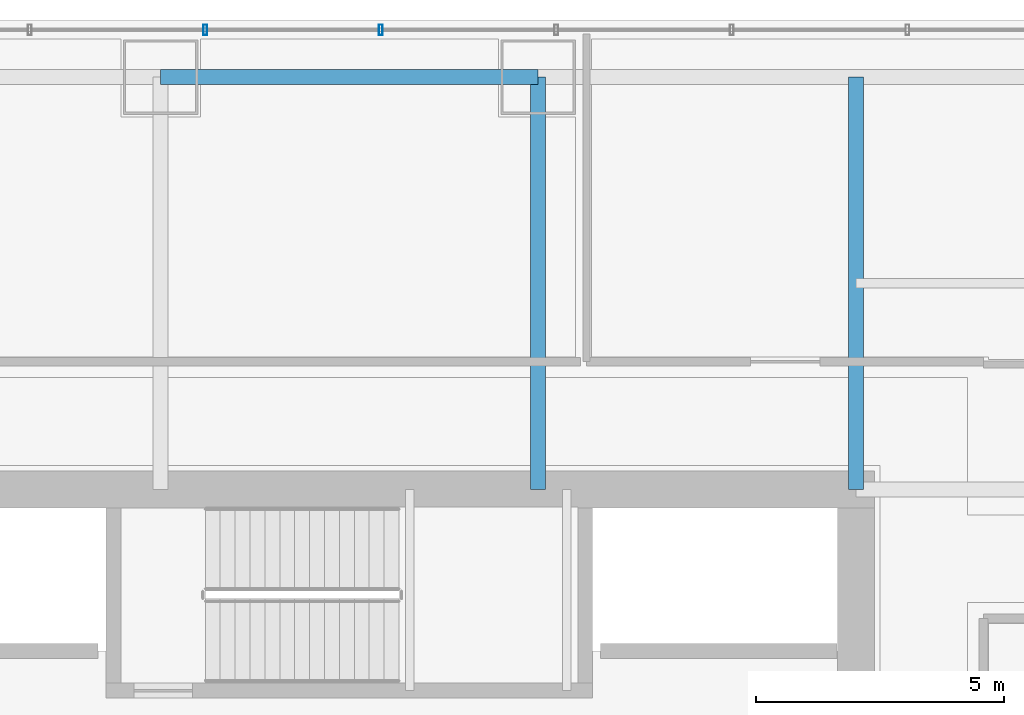
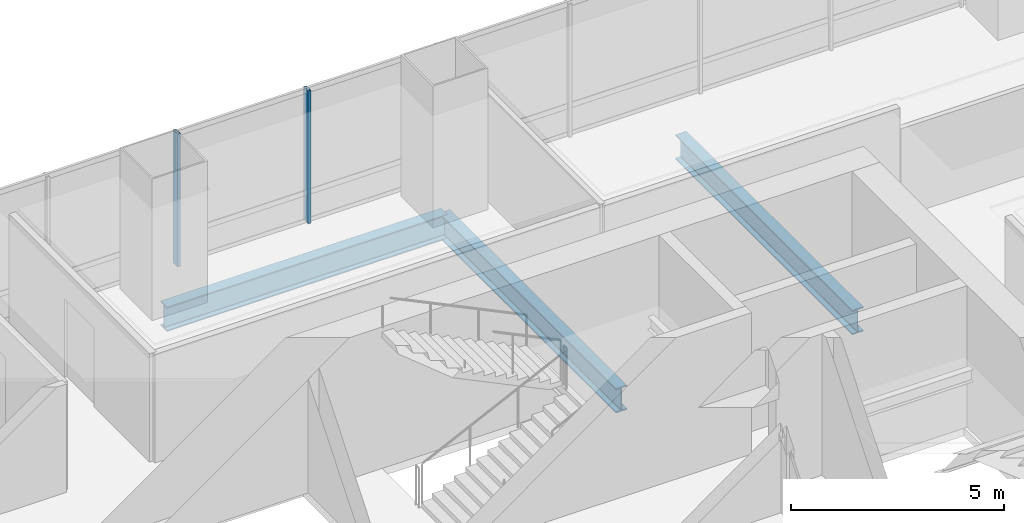
# One storey, part 20 of 35: 3 beams, 2 members, 1 element without a shape of its own.
"""IFC4 building model written with IfcOpenShell, lengths in metres."""

from ifc_helpers import new_model, si_unit, direction, frame, origin, origin_2d, place, context, subcontext, project, spatial, hollow_rectangle, i_section, extrude, material, material_profile, profile_set, type_object, element, aggregate, save


model = new_model("IFC4")

# Units and contexts
model_context = context("Model", 3, precision=1e-05, world=origin(), true_north=direction((0.0, 1.0)))
body_context = subcontext(model_context, "Body", "Model", "MODEL_VIEW")
ifc_project = project(units=[si_unit("LENGTHUNIT", "METRE"), si_unit("AREAUNIT", "SQUARE_METRE"), si_unit("VOLUMEUNIT", "CUBIC_METRE"), si_unit("PLANEANGLEUNIT", "RADIAN"), si_unit("MASSUNIT", "GRAM", prefix="KILO")], contexts=[model_context])

# Site, building, storey
site_placement = place(None, origin())
site = spatial("IfcSite", under=ifc_project, at=site_placement, CompositionType="ELEMENT")
building_placement = place(site_placement, origin())
building = spatial("IfcBuilding", under=site, at=building_placement, Name="Punatoya Terracotta Tower", CompositionType="ELEMENT")
storey_placement = place(building_placement, frame((0.0, 0.0, 68.699951171875)))
storey = spatial("IfcBuildingStorey", under=building, at=storey_placement, Name="L15", CompositionType="ELEMENT", Elevation=68.699951171875)

# Beams
ifc_material_1 = material(Name="Steel S355", Category="steel")
ifc_material_profile_1 = material_profile(ifc_material_1, i_section(OverallWidth=0.300048828125, OverallDepth=0.699951171875, WebThickness=0.01708984375, FlangeThickness=0.031982421875, FilletRadius=0.01806640625, at=origin_2d()))
ifc_profile_set_1 = profile_set([ifc_material_profile_1], Name="Steel S355")
beam_type = type_object("IfcBeamType", Name="BM-PRI-700", PredefinedType="BEAM", material=ifc_profile_set_1)
beam_placement = place(storey_placement, frame((-3.800048828125, 17.5, -0.58984375), z_axis=(1.0, 0.0, 0.0), x_axis=(0.0, 1.0, 0.0)))
element("IfcBeam", 1, at=beam_placement, inside=storey, type_object=beam_type, Name="BM-L15-RG-N2", PredefinedType="BEAM", context=body_context, shape_type="SweptSolid", body=[
    extrude(i_section(OverallWidth=0.300048828125, OverallDepth=0.699951171875, WebThickness=0.01708984375, FlangeThickness=0.031982421875, FilletRadius=0.01806640625, at=origin_2d()), origin(), (0.0, 0.0, 1.0), 7.60009765625),
])
for number, where, z_axis, x_axis, name in (
    (2, (3.800048828125, 9.199951171875, -0.58984375), (0.0, 1.0, 0.0), (-1.0, 0.0, 0.0), "BM-L15-PR-N3"),
    (3, (10.199951171875, 9.199951171875, -0.58984375), (0.0, 1.0, 0.0), (-1.0, 0.0, 0.0), "BM-L15-PR-N4"),
):
    element("IfcBeam", number, at=place(storey_placement, frame(where, z_axis=z_axis, x_axis=x_axis)), inside=storey, type_object=beam_type, Name=name, PredefinedType="BEAM", context=body_context, shape_type="SweptSolid", body=[
        extrude(i_section(OverallWidth=0.300048828125, OverallDepth=0.699951171875, WebThickness=0.01708984375, FlangeThickness=0.031982421875, FilletRadius=0.01806640625, at=origin_2d()), origin(), (0.0, 0.0, 1.0), 8.300048828125),
    ])

# Curtain wall, members
ifc_material_2 = material(Name="Aluminium 6063-T6 + Double Low-E Glass", Category="aluminium")
curtain_wall_type = type_object("IfcCurtainWallType", Name="CW-M1", PredefinedType="NOTDEFINED", material=ifc_material_2)
curtain_wall_placement = place(storey_placement, origin())
curtain_wall = element("IfcCurtainWall", 4, at=curtain_wall_placement, inside=storey, type_object=curtain_wall_type, Name="L15 Curtain Wall CW-L15-N09-1", PredefinedType="NOTDEFINED")
ifc_material_3 = material(Name="Aluminium 6063-T6", Category="aluminium")
ifc_material_profile_2 = material_profile(ifc_material_3, hollow_rectangle(XDim=0.074951171875, YDim=0.2099609375, WallThickness=0.00439453125, at=origin_2d()))
ifc_profile_set_2 = profile_set([ifc_material_profile_2], Name="Aluminium 6063-T6")
member_type = type_object("IfcMemberType", Name="CW-MUL-M1", PredefinedType="MULLION", material=ifc_profile_set_2)
member_1_placement = place(storey_placement, frame((0.633056640625, 18.449951171875, 0.0), z_axis=(0.0, 0.0, 1.0), x_axis=(1.0, 0.0, 0.0)))
member_1 = element("IfcMember", 5, at=member_1_placement, type_object=member_type, Name="CW-L15-N09-1 Mullion 06", PredefinedType="MULLION", context=body_context, shape_type="SweptSolid", body=[
    extrude(hollow_rectangle(XDim=0.074951171875, YDim=0.2099609375, WallThickness=0.00439453125, at=origin_2d()), origin(), (0.0, 0.0, 1.0), 3.81005859375),
])
member_2_placement = place(storey_placement, frame((-2.90087890625, 18.449951171875, 0.0), z_axis=(0.0, 0.0, 1.0), x_axis=(1.0, 0.0, 0.0)))
member_2 = element("IfcMember", 6, at=member_2_placement, type_object=member_type, Name="CW-L15-N09-1 Mullion 07", PredefinedType="MULLION", context=body_context, shape_type="SweptSolid", body=[
    extrude(hollow_rectangle(XDim=0.074951171875, YDim=0.2099609375, WallThickness=0.00439453125, at=origin_2d()), origin(), (0.0, 0.0, 1.0), 3.81005859375),
])
aggregate(curtain_wall, [member_1, member_2])

save(model, "model.ifc")
